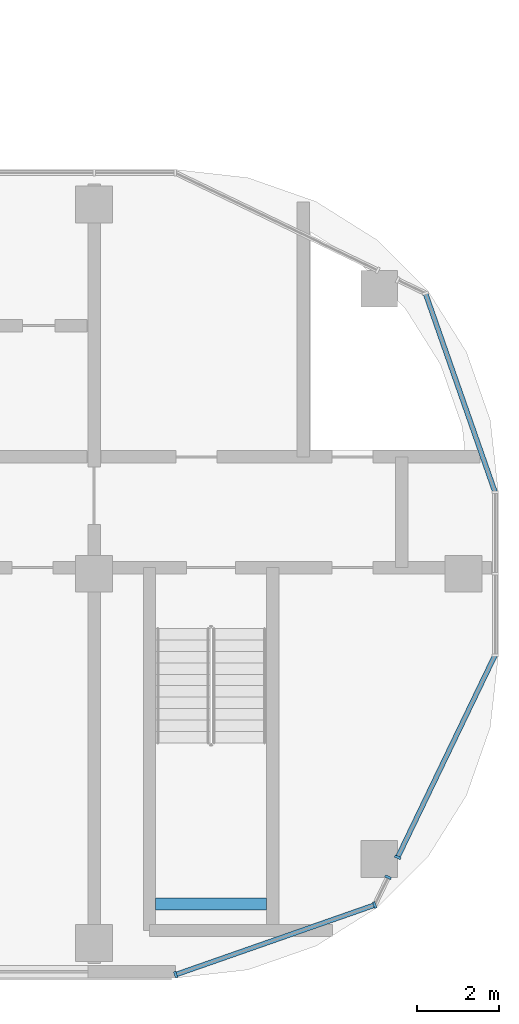
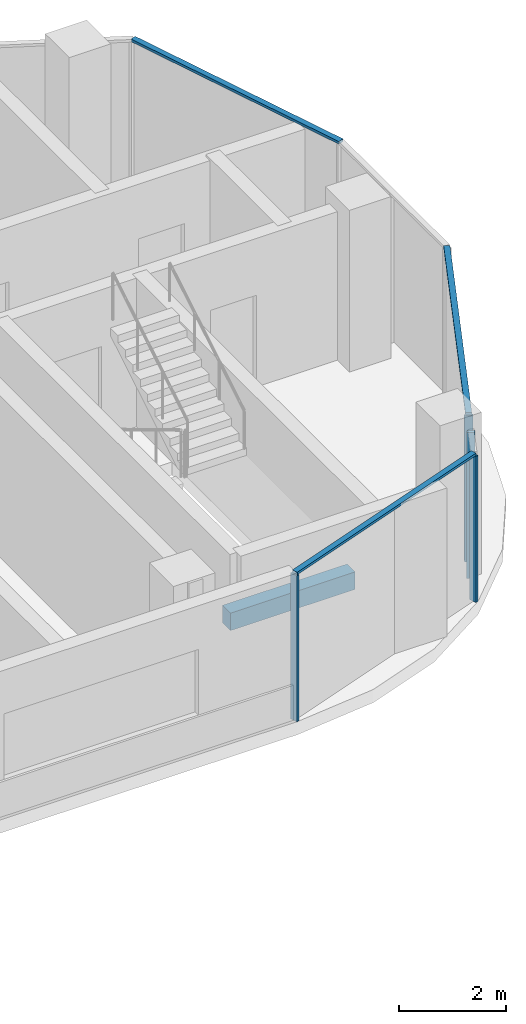
# One storey, part 3 of 20: 7 members, 1 beam, 3 elements without a shape of their own.
"""IFC4 building model written with IfcOpenShell, lengths in metres."""

from ifc_helpers import new_model, si_unit, direction, frame, origin, origin_2d, place, context, subcontext, project, spatial, rectangle, extrude, material, material_profile, profile_set, type_object, element, aggregate, save


model = new_model("IFC4")

# Units and contexts
model_context = context("Model", 3, precision=1e-05, world=origin(), true_north=direction((0.0, 1.0)))
body_context = subcontext(model_context, "Body", "Model", "MODEL_VIEW")
ifc_project = project(units=[si_unit("LENGTHUNIT", "METRE"), si_unit("AREAUNIT", "SQUARE_METRE"), si_unit("VOLUMEUNIT", "CUBIC_METRE"), si_unit("PLANEANGLEUNIT", "RADIAN"), si_unit("MASSUNIT", "GRAM", prefix="KILO")], contexts=[model_context])

# Site, building, storey
site_placement = place(None, origin())
site = spatial("IfcSite", under=ifc_project, at=site_placement, CompositionType="ELEMENT")
building_placement = place(site_placement, origin())
building = spatial("IfcBuilding", under=site, at=building_placement, Name="Ogive Portal Towers", CompositionType="ELEMENT")
storey_placement = place(building_placement, frame((0.0, 0.0, 210.60009765625)))
storey = spatial("IfcBuildingStorey", under=building, at=storey_placement, Name="L52", CompositionType="ELEMENT", Elevation=210.60009765625)

# Beam
ifc_material_1 = material(Name="Concrete C40/50", Category="concrete")
ifc_material_profile_1 = material_profile(ifc_material_1, rectangle(XDim=0.300048828125, YDim=0.39990234375, at=origin_2d()), Name="RC 300x400")
ifc_profile_set_1 = profile_set([ifc_material_profile_1], Name="Concrete C40/50")
beam_type = type_object("IfcBeamType", Name="BEAM RC 300x400", PredefinedType="BEAM", material=ifc_profile_set_1)
beam_placement = place(storey_placement, frame((87.0, 22.449951171875, 1.449951171875), z_axis=(1.0, 0.0, 0.0), x_axis=(0.0, 1.0, 0.0)))
element("IfcBeam", 1, at=beam_placement, inside=storey, type_object=beam_type, Name="Landing beam L52", PredefinedType="BEAM", context=body_context, shape_type="SweptSolid", body=[
    extrude(rectangle(XDim=0.300048828125, YDim=0.39990234375, at=origin_2d()), origin(), (0.0, 0.0, 1.0), 2.699951171875),
])

# Curtain wall, members
ifc_material_2 = material(Name="Glass, clear low-iron insulated glazing", Category="glass")
curtain_wall_type = type_object("IfcCurtainWallType", Name="CW FRONT RIBBON 4500", PredefinedType="NOTDEFINED", material=ifc_material_2)
curtain_wall_1_placement = place(storey_placement, origin())
curtain_wall_1 = element("IfcCurtainWall", 2, at=curtain_wall_1_placement, inside=storey, type_object=curtain_wall_type, Name="A:L52:f06:cwa~0", PredefinedType="NOTDEFINED")
ifc_material_3 = material(Name="Aluminium 6063 anodised", Category="aluminium")
ifc_material_profile_2 = material_profile(ifc_material_3, rectangle(XDim=0.159912109375, YDim=0.06005859375, at=origin_2d()), Name="AL 60x160")
ifc_profile_set_2 = profile_set([ifc_material_profile_2], Name="Aluminium 6063 anodised")
member_type_1 = type_object("IfcMemberType", Name="CW MULLION 60x160", PredefinedType="MULLION", material=ifc_profile_set_2)
member_1_placement = place(storey_placement, frame((87.486328125, 20.72509765625, 0.0), z_axis=(0.0, 0.0, 1.0), x_axis=(-0.33027906196, 0.943883330307, 0.0)))
member_1 = element("IfcMember", 3, at=member_1_placement, type_object=member_type_1, Name="mullion", PredefinedType="MULLION", context=body_context, shape_type="SweptSolid", body=[
    extrude(rectangle(XDim=0.159912109375, YDim=0.06005859375, at=origin_2d()), origin(), (0.0, 0.0, 1.0), 3.33984375),
])
member_2_placement = place(storey_placement, frame((92.33984375, 22.42333984375, 0.0), z_axis=(0.0, 0.0, 1.0), x_axis=(-0.33027906196, 0.943883330307, 0.0)))
member_2 = element("IfcMember", 4, at=member_2_placement, type_object=member_type_1, Name="mullion", PredefinedType="MULLION", context=body_context, shape_type="SweptSolid", body=[
    extrude(rectangle(XDim=0.159912109375, YDim=0.06005859375, at=origin_2d()), origin(), (0.0, 0.0, 1.0), 3.33984375),
])
member_3_placement = place(storey_placement, frame((92.665771484375, 23.10009765625, 0.0), z_axis=(0.0, 0.0, 1.0), x_axis=(-0.900968867905, 0.433883739113, 0.0)))
member_3 = element("IfcMember", 5, at=member_3_placement, type_object=member_type_1, Name="mullion", PredefinedType="MULLION", context=body_context, shape_type="SweptSolid", body=[
    extrude(rectangle(XDim=0.159912109375, YDim=0.06005859375, at=origin_2d()), origin(), (0.0, 0.0, 1.0), 3.33984375),
])

# Curtain wall, member
curtain_wall_2_placement = place(storey_placement, origin())
curtain_wall_2 = element("IfcCurtainWall", 6, at=curtain_wall_2_placement, inside=storey, type_object=curtain_wall_type, Name="A:L52:f06:cwa~1", PredefinedType="NOTDEFINED")
member_4_placement = place(storey_placement, frame((92.89990234375, 23.58642578125, 0.0), z_axis=(0.0, 0.0, 1.0), x_axis=(-0.900968867905, 0.433883739113, 0.0)))
member_4 = element("IfcMember", 7, at=member_4_placement, type_object=member_type_1, Name="mullion", PredefinedType="MULLION", context=body_context, shape_type="SweptSolid", body=[
    extrude(rectangle(XDim=0.159912109375, YDim=0.06005859375, at=origin_2d()), origin(), (0.0, 0.0, 1.0), 3.33984375),
])

# Member
ifc_material_profile_3 = material_profile(ifc_material_3, rectangle(XDim=0.1201171875, YDim=0.06005859375, at=origin_2d()), Name="AL 120x60")
ifc_profile_set_3 = profile_set([ifc_material_profile_3], Name="Aluminium 6063 anodised")
member_type_2 = type_object("IfcMemberType", Name="CW TRANSOM 60x120", PredefinedType="USERDEFINED", material=ifc_profile_set_3)
member_5_placement = place(storey_placement, frame((87.486328125, 20.72509765625, 3.369873046875), z_axis=(0.943887961031, 0.330265827813, 0.0), x_axis=(-0.330265827813, 0.943887961031, 0.0)))
member_5 = element("IfcMember", 8, at=member_5_placement, type_object=member_type_2, Name="transom", ObjectType="TRANSOM", PredefinedType="USERDEFINED", context=body_context, shape_type="SweptSolid", body=[
    extrude(rectangle(XDim=0.1201171875, YDim=0.06005859375, at=origin_2d()), origin(), (0.0, 0.0, 1.0), 5.14208984375),
])

aggregate(curtain_wall_1, [member_5, member_1, member_2, member_3])

member_6_placement = place(storey_placement, frame((92.89990234375, 23.58642578125, 3.369873046875), z_axis=(0.433873280618, 0.900973904376, 0.0), x_axis=(-0.900973904376, 0.433873280618, 0.0)))
member_6 = element("IfcMember", 9, at=member_6_placement, type_object=member_type_2, Name="transom", ObjectType="TRANSOM", PredefinedType="USERDEFINED", context=body_context, shape_type="SweptSolid", body=[
    extrude(rectangle(XDim=0.1201171875, YDim=0.06005859375, at=origin_2d()), origin(), (0.0, 0.0, 1.0), 5.473876953125),
])

aggregate(curtain_wall_2, [member_6, member_4])

# Curtain wall, member
curtain_wall_3_placement = place(storey_placement, origin())
curtain_wall_3 = element("IfcCurtainWall", 10, at=curtain_wall_3_placement, inside=storey, type_object=curtain_wall_type, Name="A:L52:f09:cwa~0", PredefinedType="NOTDEFINED")
member_7_placement = place(storey_placement, frame((95.27490234375, 32.486328125, 3.369873046875), z_axis=(-0.330265827813, 0.943887961031, 0.0), x_axis=(-0.943887961031, -0.330265827813, 0.0)))
member_7 = element("IfcMember", 11, at=member_7_placement, type_object=member_type_2, Name="transom", ObjectType="TRANSOM", PredefinedType="USERDEFINED", context=body_context, shape_type="SweptSolid", body=[
    extrude(rectangle(XDim=0.1201171875, YDim=0.06005859375, at=origin_2d()), origin(), (0.0, 0.0, 1.0), 5.14208984375),
])
aggregate(curtain_wall_3, [member_7])

save(model, "model.ifc")
